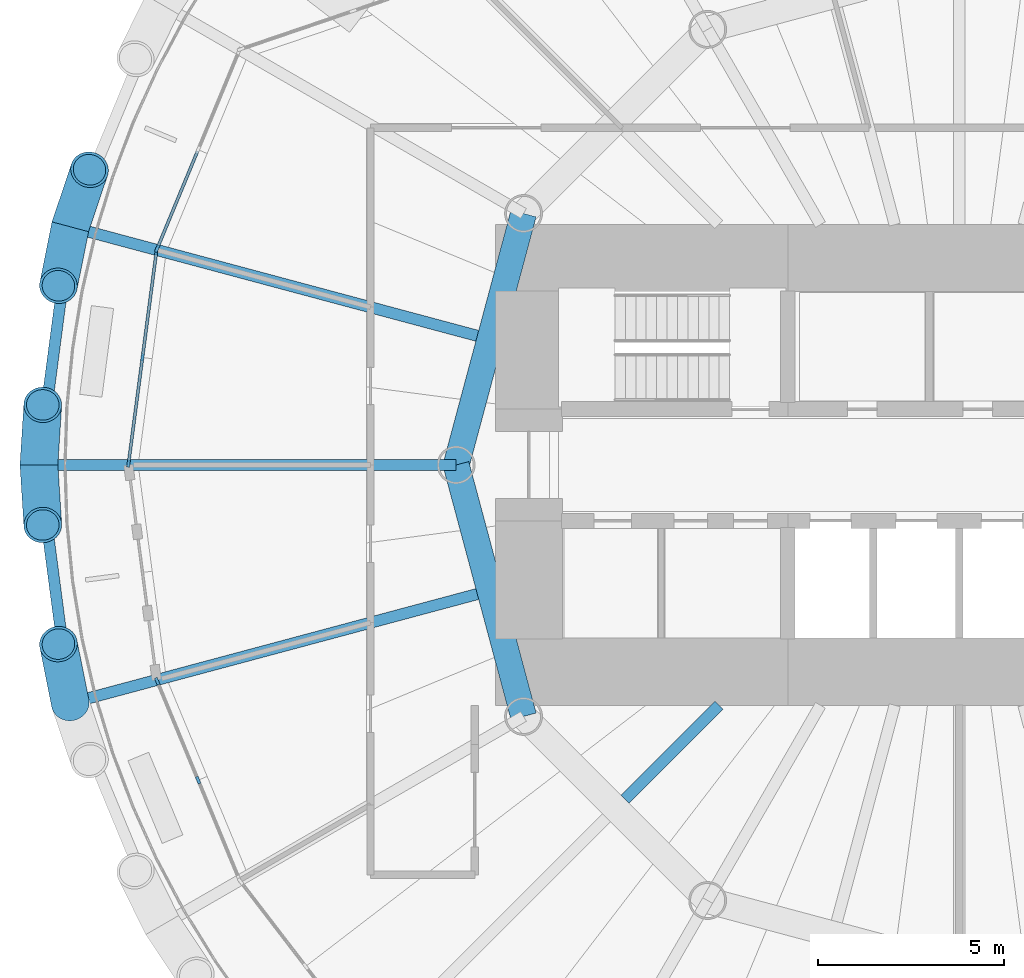
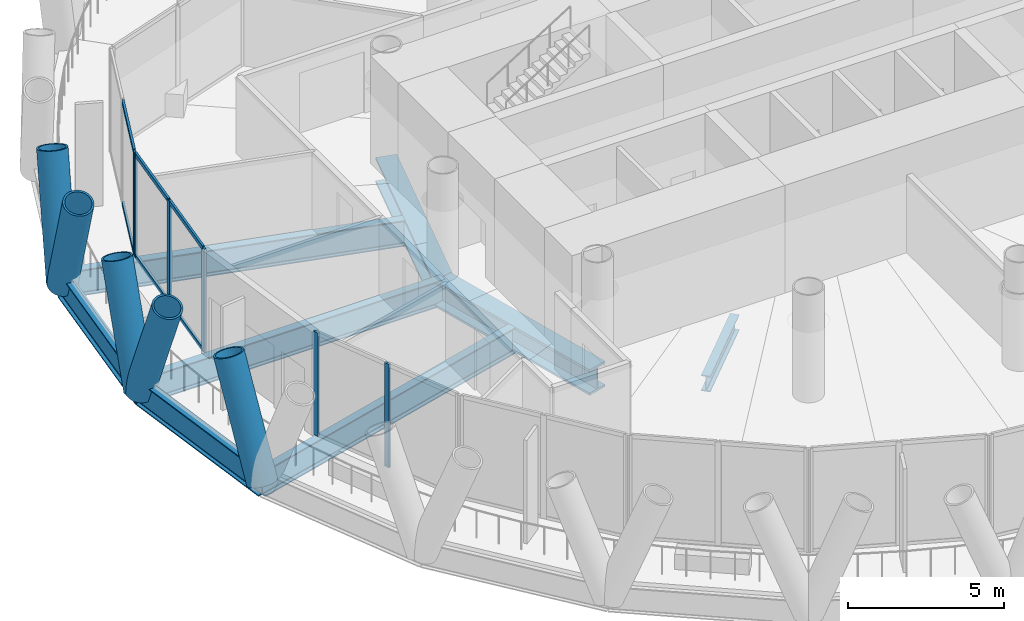
# One storey, part 3 of 14: 17 members, 8 beams, 3 elements without a shape of their own.
"""IFC4 building model written with IfcOpenShell, lengths in metres."""

from ifc_helpers import new_model, si_unit, direction, frame, origin, origin_2d, place, context, subcontext, project, spatial, rectangle, hollow_circle, i_section, extrude, material, material_profile, profile_set, type_object, element, aggregate, save


model = new_model("IFC4")

# Units and contexts
model_context = context("Model", 3, precision=1e-05, world=origin(), true_north=direction((0.0, 1.0)))
body_context = subcontext(model_context, "Body", "Model", "MODEL_VIEW")
ifc_project = project(units=[si_unit("LENGTHUNIT", "METRE"), si_unit("AREAUNIT", "SQUARE_METRE"), si_unit("VOLUMEUNIT", "CUBIC_METRE"), si_unit("PLANEANGLEUNIT", "RADIAN"), si_unit("MASSUNIT", "GRAM", prefix="KILO")], contexts=[model_context])

# Site, building, storey
site_placement = place(None, origin())
site = spatial("IfcSite", under=ifc_project, at=site_placement, CompositionType="ELEMENT")
building_placement = place(site_placement, origin())
building = spatial("IfcBuilding", under=site, at=building_placement, Name="Qaws Media Tower", CompositionType="ELEMENT")
storey_placement = place(building_placement, frame((0.0, 0.0, 160.39990234375)))
storey = spatial("IfcBuildingStorey", under=building, at=storey_placement, Name="L36", CompositionType="ELEMENT", Elevation=160.39990234375)

# Curtain wall, member
ifc_material_1 = material(Name="Aluminium and clear glass", Category="aluminium")
curtain_wall_type = type_object("IfcCurtainWallType", Name="Unitised curtain wall CW-B", PredefinedType="NOTDEFINED", material=ifc_material_1)
curtain_wall_1_placement = place(storey_placement, origin())
curtain_wall_1 = element("IfcCurtainWall", 1, at=curtain_wall_1_placement, inside=storey, type_object=curtain_wall_type, Name="CWB curtain wall L36-11", PredefinedType="NOTDEFINED")
ifc_material_2 = material(Name="Aluminium mullion", Category="aluminium")
ifc_material_profile_1 = material_profile(ifc_material_2, rectangle(XDim=0.080078125, YDim=0.199951171875, at=origin_2d()), Name="80x200")
ifc_profile_set_1 = profile_set([ifc_material_profile_1], Name="Aluminium mullion")
member_type_1 = type_object("IfcMemberType", Name="Curtain wall mullion 80x200", PredefinedType="MULLION", material=ifc_profile_set_1)
member_1_placement = place(storey_placement, frame((38.47509765625, 55.80859375, 0.0), z_axis=(0.0, 0.0, 1.0), x_axis=(0.923879550732, -0.382683388377, 0.0)))
member_1 = element("IfcMember", 2, at=member_1_placement, type_object=member_type_1, Name="CWB mullion 3", PredefinedType="MULLION", context=body_context, shape_type="SweptSolid", body=[
    extrude(rectangle(XDim=0.080078125, YDim=0.199951171875, at=origin_2d()), origin(), (0.0, 0.0, 1.0), 4.0400390625),
])

# Curtain wall, members
curtain_wall_2_placement = place(storey_placement, origin())
curtain_wall_2 = element("IfcCurtainWall", 3, at=curtain_wall_2_placement, inside=storey, type_object=curtain_wall_type, Name="CWB curtain wall L36-12", PredefinedType="NOTDEFINED")
member_2_placement = place(storey_placement, frame((38.45458984375, 55.73193359375, 0.0), z_axis=(0.0, 0.0, 1.0), x_axis=(0.991444863875, -0.13052617322, 0.0)))
member_2 = element("IfcMember", 4, at=member_2_placement, type_object=member_type_1, Name="CWB mullion 1", PredefinedType="MULLION", context=body_context, shape_type="SweptSolid", body=[
    extrude(rectangle(XDim=0.080078125, YDim=0.199951171875, at=origin_2d()), origin(), (0.0, 0.0, 1.0), 4.0400390625),
])
member_3_placement = place(storey_placement, frame((38.079833984375, 52.8857421875, 0.0), z_axis=(0.0, 0.0, 1.0), x_axis=(0.991444863875, -0.13052617322, 0.0)))
member_3 = element("IfcMember", 5, at=member_3_placement, type_object=member_type_1, Name="CWB mullion 2", PredefinedType="MULLION", context=body_context, shape_type="SweptSolid", body=[
    extrude(rectangle(XDim=0.080078125, YDim=0.199951171875, at=origin_2d()), origin(), (0.0, 0.0, 1.0), 4.0400390625),
])
member_4_placement = place(storey_placement, frame((37.705322265625, 50.03955078125, 0.0), z_axis=(0.0, 0.0, 1.0), x_axis=(0.991444863875, -0.13052617322, 0.0)))
member_4 = element("IfcMember", 6, at=member_4_placement, type_object=member_type_1, Name="CWB mullion 3", PredefinedType="MULLION", context=body_context, shape_type="SweptSolid", body=[
    extrude(rectangle(XDim=0.080078125, YDim=0.199951171875, at=origin_2d()), origin(), (0.0, 0.0, 1.0), 4.0400390625),
])

curtain_wall_3_placement = place(storey_placement, origin())
curtain_wall_3 = element("IfcCurtainWall", 7, at=curtain_wall_3_placement, inside=storey, type_object=curtain_wall_type, Name="CWB curtain wall L36-14", PredefinedType="NOTDEFINED")
member_5_placement = place(storey_placement, frame((38.47509765625, 44.19140625, 0.0), z_axis=(0.0, 0.0, 1.0), x_axis=(0.923879550732, 0.382683388377, 0.0)))
member_5 = element("IfcMember", 8, at=member_5_placement, type_object=member_type_1, Name="CWB mullion 1", PredefinedType="MULLION", context=body_context, shape_type="SweptSolid", body=[
    extrude(rectangle(XDim=0.080078125, YDim=0.199951171875, at=origin_2d()), origin(), (0.0, 0.0, 1.0), 4.0400390625),
])
member_6_placement = place(storey_placement, frame((39.57373046875, 41.5390625, 0.0), z_axis=(0.0, 0.0, 1.0), x_axis=(0.923879550732, 0.382683388377, 0.0)))
member_6 = element("IfcMember", 9, at=member_6_placement, type_object=member_type_1, Name="CWB mullion 2", PredefinedType="MULLION", context=body_context, shape_type="SweptSolid", body=[
    extrude(rectangle(XDim=0.080078125, YDim=0.199951171875, at=origin_2d()), origin(), (0.0, 0.0, 1.0), 4.0400390625),
])
aggregate(curtain_wall_3, [member_5, member_6])

# Member
ifc_material_3 = material(Name="Aluminium transom", Category="aluminium")
ifc_material_profile_2 = material_profile(ifc_material_3, rectangle(XDim=0.080078125, YDim=0.159912109375, at=origin_2d()), Name="80x160")
ifc_profile_set_2 = profile_set([ifc_material_profile_2], Name="Aluminium transom")
member_type_2 = type_object("IfcMemberType", Name="Curtain wall transom 80x160", PredefinedType="USERDEFINED", material=ifc_profile_set_2)
member_7_placement = place(storey_placement, frame((39.558349609375, 58.423828125, 0.0400390625), z_axis=(-0.38264539254, -0.923895288205, 0.0), x_axis=(0.923895288205, -0.38264539254, 0.0)))
member_7 = element("IfcMember", 10, at=member_7_placement, type_object=member_type_2, Name="CWB transom 2.1", ObjectType="TRANSOM", PredefinedType="USERDEFINED", context=body_context, shape_type="SweptSolid", body=[
    extrude(rectangle(XDim=0.080078125, YDim=0.159912109375, at=origin_2d()), origin(), (0.0, 0.0, 1.0), 2.790771484375),
])

member_8_placement = place(storey_placement, frame((39.558349609375, 58.423828125, 4.0), z_axis=(-0.38264539254, -0.923895288205, 0.0), x_axis=(0.923895288205, -0.38264539254, 0.0)))
member_8 = element("IfcMember", 11, at=member_8_placement, type_object=member_type_2, Name="CWB transom 2.2", ObjectType="TRANSOM", PredefinedType="USERDEFINED", context=body_context, shape_type="SweptSolid", body=[
    extrude(rectangle(XDim=0.080078125, YDim=0.159912109375, at=origin_2d()), origin(), (0.0, 0.0, 1.0), 2.790771484375),
])

aggregate(curtain_wall_1, [member_1, member_7, member_8])

member_9_placement = place(storey_placement, frame((38.449462890625, 55.6923828125, 0.0400390625), z_axis=(-0.130524665408, -0.991445062381, 0.0), x_axis=(0.991445062381, -0.130524665408, 0.0)))
member_9 = element("IfcMember", 12, at=member_9_placement, type_object=member_type_2, Name="CWB transom 1.1", ObjectType="TRANSOM", PredefinedType="USERDEFINED", context=body_context, shape_type="SweptSolid", body=[
    extrude(rectangle(XDim=0.080078125, YDim=0.159912109375, at=origin_2d()), origin(), (0.0, 0.0, 1.0), 2.790771484375),
])

member_10_placement = place(storey_placement, frame((38.449462890625, 55.6923828125, 4.0), z_axis=(-0.130524665408, -0.991445062381, 0.0), x_axis=(0.991445062381, -0.130524665408, 0.0)))
member_10 = element("IfcMember", 13, at=member_10_placement, type_object=member_type_2, Name="CWB transom 1.2", ObjectType="TRANSOM", PredefinedType="USERDEFINED", context=body_context, shape_type="SweptSolid", body=[
    extrude(rectangle(XDim=0.080078125, YDim=0.159912109375, at=origin_2d()), origin(), (0.0, 0.0, 1.0), 2.790771484375),
])

member_11_placement = place(storey_placement, frame((38.07470703125, 52.84619140625, 0.0400390625), z_axis=(-0.130524665408, -0.991445062381, 0.0), x_axis=(0.991445062381, -0.130524665408, 0.0)))
member_11 = element("IfcMember", 14, at=member_11_placement, type_object=member_type_2, Name="CWB transom 2.1", ObjectType="TRANSOM", PredefinedType="USERDEFINED", context=body_context, shape_type="SweptSolid", body=[
    extrude(rectangle(XDim=0.080078125, YDim=0.159912109375, at=origin_2d()), origin(), (0.0, 0.0, 1.0), 2.790771484375),
])

member_12_placement = place(storey_placement, frame((38.07470703125, 52.84619140625, 4.0), z_axis=(-0.130524665408, -0.991445062381, 0.0), x_axis=(0.991445062381, -0.130524665408, 0.0)))
member_12 = element("IfcMember", 15, at=member_12_placement, type_object=member_type_2, Name="CWB transom 2.2", ObjectType="TRANSOM", PredefinedType="USERDEFINED", context=body_context, shape_type="SweptSolid", body=[
    extrude(rectangle(XDim=0.080078125, YDim=0.159912109375, at=origin_2d()), origin(), (0.0, 0.0, 1.0), 2.790771484375),
])

aggregate(curtain_wall_2, [member_2, member_3, member_4, member_9, member_10, member_11, member_12])

# Members
ifc_material_4 = material(Name="Steel S460", Category="steel")
ifc_material_profile_3 = material_profile(ifc_material_4, hollow_circle(Radius=0.508056640625, WallThickness=0.070068359375, at=origin_2d()), Name="CHS 1016x70")
ifc_profile_set_3 = profile_set([ifc_material_profile_3], Name="Steel S460")
member_type_3 = type_object("IfcMemberType", Name="Diagrid member CHS 1016x70", PredefinedType="USERDEFINED", material=ifc_profile_set_3)
member_13_placement = place(storey_placement, frame((36.1416015625, 56.392822265625, -0.663818359375), z_axis=(-0.070640000511, -0.351952137721, 0.93334863962), x_axis=(0.980446746833, -0.196784594478, 0.0)))
element("IfcMember", 16, at=member_13_placement, inside=storey, type_object=member_type_3, Name="DG3 diagrid L36 A12", ObjectType="DIAGRID", PredefinedType="USERDEFINED", context=body_context, shape_type="SweptSolid", body=[
    extrude(hollow_circle(Radius=0.508056640625, WallThickness=0.070068359375, at=origin_2d()), origin(), (0.0, 0.0, 1.0), 4.499755859375),
])
for number, where, z_axis, x_axis, name in (
    (17, (36.1416015625, 56.392822265625, -0.663818359375), (0.11480120197, 0.340171803568, 0.933329431703), (-0.947498002128, 0.319761686204, 0.0), "DG3 diagrid L36 B12"),
    (18, (35.300048828125, 50.0, -0.663818359375), (0.022840891918, -0.358292755875, 0.933329842416), (0.997974189548, 0.063620099001, 0.0), "DG3 diagrid L36 A13"),
    (19, (35.300048828125, 50.0, -0.663818359375), (0.022840891918, 0.358292755875, 0.933329842416), (-0.997974189548, 0.063620099001, 0.0), "DG3 diagrid L36 B13"),
):
    element("IfcMember", number, at=place(storey_placement, frame(where, z_axis=z_axis, x_axis=x_axis)), inside=storey, type_object=member_type_3, Name=name, ObjectType="DIAGRID", PredefinedType="USERDEFINED", context=body_context, shape_type="SweptSolid", body=[
        extrude(hollow_circle(Radius=0.508056640625, WallThickness=0.070068359375, at=origin_2d()), origin(), (0.0, 0.0, 1.0), 4.5),
    ])
member_14_placement = place(storey_placement, frame((36.1416015625, 43.607177734375, -0.663818359375), z_axis=(-0.070640000511, 0.351952137721, 0.93334863962), x_axis=(-0.980446746833, -0.196784594478, 0.0)))
element("IfcMember", 20, at=member_14_placement, inside=storey, type_object=member_type_3, Name="DG3 diagrid L36 B14", ObjectType="DIAGRID", PredefinedType="USERDEFINED", context=body_context, shape_type="SweptSolid", body=[
    extrude(hollow_circle(Radius=0.508056640625, WallThickness=0.070068359375, at=origin_2d()), origin(), (0.0, 0.0, 1.0), 4.499755859375),
])

# Beams
ifc_material_5 = material(Name="Steel S460", Category="steel")
ifc_material_profile_4 = material_profile(ifc_material_5, i_section(OverallWidth=0.302001953125, OverallDepth=1.008056640625, WebThickness=0.02099609375, FlangeThickness=0.0400390625, FilletRadius=0.030029296875, at=origin_2d()), Name="HE 1000 M")
ifc_profile_set_4 = profile_set([ifc_material_profile_4], Name="Steel S460")
beam_type_1 = type_object("IfcBeamType", Name="Edge ring beam HE 1000 M", PredefinedType="BEAM", material=ifc_profile_set_4)
for number, where, z_axis, x_axis, name in (
    (21, (36.1416015625, 56.392822265625, -0.663818359375), (-0.130514258263, -0.991446432436, 0.0), (0.991446432436, -0.130514258263, 0.0), "RB3 edge ring beam L36-12"),
    (22, (35.300048828125, 50.0, -0.663818359375), (0.130514258263, -0.991446432436, 0.0), (0.991446432436, 0.130514258263, 0.0), "RB3 edge ring beam L36-13"),
):
    element("IfcBeam", number, at=place(storey_placement, frame(where, z_axis=z_axis, x_axis=x_axis)), inside=storey, type_object=beam_type_1, Name=name, PredefinedType="BEAM", context=body_context, shape_type="SweptSolid", body=[
        extrude(i_section(OverallWidth=0.302001953125, OverallDepth=1.008056640625, WebThickness=0.02099609375, FlangeThickness=0.0400390625, FilletRadius=0.030029296875, at=origin_2d()), origin(), (0.0, 0.0, 1.0), 6.447998046875),
    ])
ifc_material_6 = material(Name="Steel S460", Category="steel")
ifc_material_profile_5 = material_profile(ifc_material_6, i_section(OverallWidth=0.699951171875, OverallDepth=1.0, WebThickness=0.034912109375, FlangeThickness=0.090087890625, at=origin_2d()), Name="PG 1000x700")
ifc_profile_set_5 = profile_set([ifc_material_profile_5], Name="Steel S460")
beam_type_2 = type_object("IfcBeamType", Name="Inner ring girder PG 1000x700", PredefinedType="BEAM", material=ifc_profile_set_5)
for number, where, z_axis, x_axis, name in (
    (23, (48.30859375, 56.75, -0.659912109375), (-0.258810593767, -0.965928090778, 0.0), (0.965928090778, -0.258810593767, 0.0), "B3 inner ring beam L36 I06-I07"),
    (24, (46.5, 50.0, -0.659912109375), (0.258810593767, -0.965928090778, 0.0), (0.965928090778, 0.258810593767, 0.0), "B3 inner ring beam L36 I07-I08"),
):
    element("IfcBeam", number, at=place(storey_placement, frame(where, z_axis=z_axis, x_axis=x_axis)), inside=storey, type_object=beam_type_2, Name=name, PredefinedType="BEAM", context=body_context, shape_type="SweptSolid", body=[
        extrude(i_section(OverallWidth=0.699951171875, OverallDepth=1.0, WebThickness=0.034912109375, FlangeThickness=0.090087890625, at=origin_2d()), origin(), (0.0, 0.0, 1.0), 6.988037109375),
    ])
ifc_material_7 = material(Name="Steel S355", Category="steel")
ifc_material_profile_6 = material_profile(ifc_material_7, i_section(OverallWidth=0.302001953125, OverallDepth=1.008056640625, WebThickness=0.02099609375, FlangeThickness=0.0400390625, FilletRadius=0.030029296875, at=origin_2d()), Name="HE 1000 M")
ifc_profile_set_6 = profile_set([ifc_material_profile_6], Name="Steel S355")
beam_type_3 = type_object("IfcBeamType", Name="Radial beam HE 1000 M", PredefinedType="BEAM", material=ifc_profile_set_6)
beam_1_placement = place(storey_placement, frame((47.066162109375, 53.465576171875, -0.663818359375), z_axis=(-0.965925408126, 0.258820605704, 0.0), x_axis=(-0.258820605704, -0.965925408126, 0.0)))
element("IfcBeam", 25, at=beam_1_placement, inside=storey, type_object=beam_type_3, Name="B1 radial beam L36 12", PredefinedType="BEAM", context=body_context, shape_type="SweptSolid", body=[
    extrude(i_section(OverallWidth=0.302001953125, OverallDepth=1.008056640625, WebThickness=0.02099609375, FlangeThickness=0.0400390625, FilletRadius=0.030029296875, at=origin_2d()), origin(), (0.0, 0.0, 1.0), 11.31005859375),
])
beam_2_placement = place(storey_placement, frame((46.5, 50.0, -0.663818359375), z_axis=(-1.0, 0.0, 0.0), x_axis=(0.0, -1.0, 0.0)))
element("IfcBeam", 26, at=beam_2_placement, inside=storey, type_object=beam_type_3, Name="B1 radial beam L36 13", PredefinedType="BEAM", context=body_context, shape_type="SweptSolid", body=[
    extrude(i_section(OverallWidth=0.302001953125, OverallDepth=1.008056640625, WebThickness=0.02099609375, FlangeThickness=0.0400390625, FilletRadius=0.030029296875, at=origin_2d()), origin(), (0.0, 0.0, 1.0), 11.199951171875),
])
beam_3_placement = place(storey_placement, frame((47.066162109375, 46.534423828125, -0.663818359375), z_axis=(-0.965925408126, -0.258820605704, 0.0), x_axis=(0.258820605704, -0.965925408126, 0.0)))
element("IfcBeam", 27, at=beam_3_placement, inside=storey, type_object=beam_type_3, Name="B1 radial beam L36 14", PredefinedType="BEAM", context=body_context, shape_type="SweptSolid", body=[
    extrude(i_section(OverallWidth=0.302001953125, OverallDepth=1.008056640625, WebThickness=0.02099609375, FlangeThickness=0.0400390625, FilletRadius=0.030029296875, at=origin_2d()), origin(), (0.0, 0.0, 1.0), 11.31005859375),
])
ifc_material_8 = material(Name="Steel S355", Category="steel")
ifc_material_profile_7 = material_profile(ifc_material_8, i_section(OverallWidth=0.304931640625, OverallDepth=0.6201171875, WebThickness=0.02099609375, FlangeThickness=0.0400390625, FilletRadius=0.027099609375, at=origin_2d()), Name="HE 600 M")
ifc_profile_set_7 = profile_set([ifc_material_profile_7], Name="Steel S355")
beam_type_4 = type_object("IfcBeamType", Name="Radial beam HE 600 M, core side", PredefinedType="BEAM", material=ifc_profile_set_7)
beam_4_placement = place(storey_placement, frame((53.550048828125, 43.550048828125, -0.469970703125), z_axis=(-0.707106781187, -0.707106781187, 0.0), x_axis=(0.707106781187, -0.707106781187, 0.0)))
element("IfcBeam", 28, at=beam_4_placement, inside=storey, type_object=beam_type_4, Name="B2 radial beam L36 16", PredefinedType="BEAM", context=body_context, shape_type="SweptSolid", body=[
    extrude(i_section(OverallWidth=0.304931640625, OverallDepth=0.6201171875, WebThickness=0.02099609375, FlangeThickness=0.0400390625, FilletRadius=0.027099609375, at=origin_2d()), origin(), (0.0, 0.0, 1.0), 3.568359375),
])

save(model, "model.ifc")
